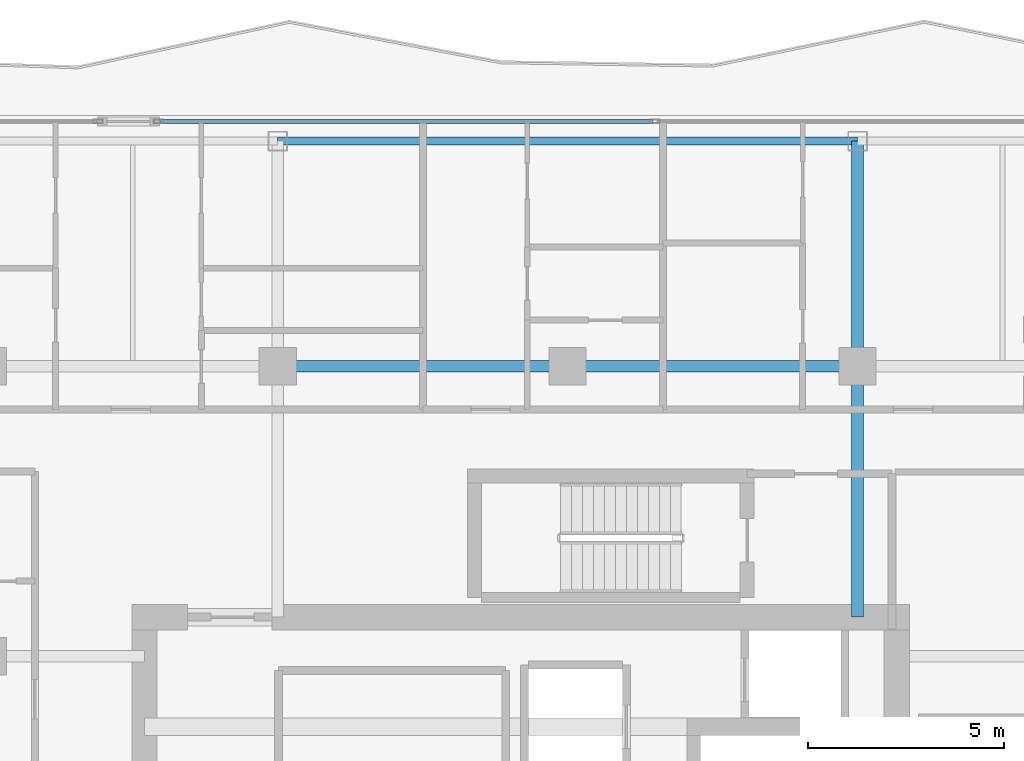
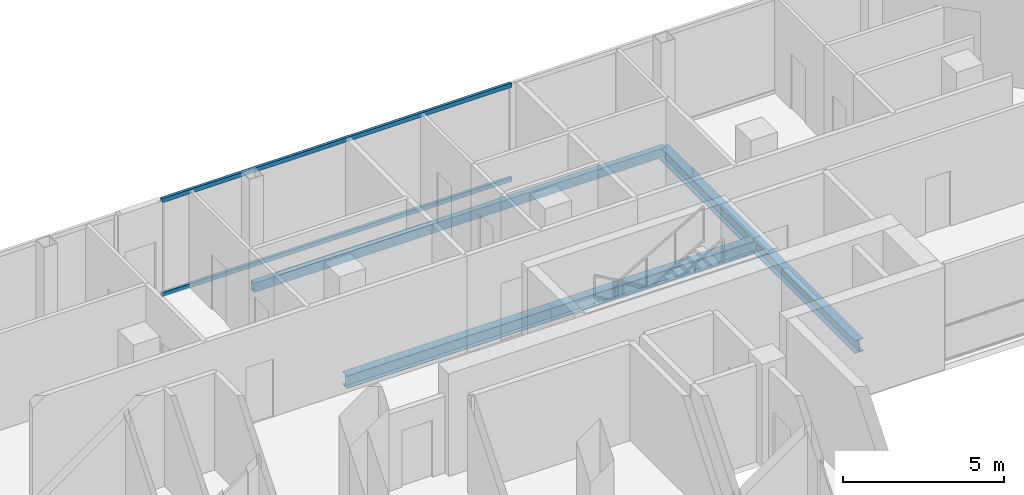
# One storey, part 12 of 23: 5 beams, 2 members, 1 element without a shape of its own.
"""IFC4 building model written with IfcOpenShell, lengths in metres."""

from ifc_helpers import new_model, si_unit, direction, frame, origin, origin_2d, place, context, subcontext, project, spatial, hollow_rectangle, i_section, extrude, material, layer, layer_set, material_profile, profile_set, type_object, element, aggregate, save


model = new_model("IFC4")

# Units and contexts
model_context = context("Model", 3, precision=1e-05, world=origin(), true_north=direction((0.0, 1.0)))
body_context = subcontext(model_context, "Body", "Model", "MODEL_VIEW")
ifc_project = project(units=[si_unit("LENGTHUNIT", "METRE"), si_unit("AREAUNIT", "SQUARE_METRE"), si_unit("VOLUMEUNIT", "CUBIC_METRE"), si_unit("PLANEANGLEUNIT", "RADIAN"), si_unit("MASSUNIT", "GRAM", prefix="KILO")], contexts=[model_context])

# Site, building, storey
site_placement = place(None, origin())
site = spatial("IfcSite", under=ifc_project, at=site_placement, CompositionType="ELEMENT")
building_placement = place(site_placement, origin())
building = spatial("IfcBuilding", under=site, at=building_placement, Name="Khorvyn Point Tower", CompositionType="ELEMENT")
storey_placement = place(building_placement, frame((0.0, 0.0, 297.60009765625)))
storey = spatial("IfcBuildingStorey", under=building, at=storey_placement, Name="L73", CompositionType="ELEMENT", Elevation=297.60009765625)

# Curtain wall, members
ifc_material_1 = material(Name="Anodised aluminium 6063-T6 and laminated Low-E glass", Category="aluminium")
ifc_layer = layer(ifc_material_1, 0.18994140625)
ifc_layer_set = layer_set([ifc_layer], Name="Stick-Built High-Wind Curtain Wall CW-SYS-04")
curtain_wall_type = type_object("IfcCurtainWallType", Name="Stick-Built High-Wind Curtain Wall CW-SYS-04", PredefinedType="NOTDEFINED", material=ifc_layer_set)
curtain_wall_placement = place(storey_placement, origin())
curtain_wall = element("IfcCurtainWall", 1, at=curtain_wall_placement, inside=storey, type_object=curtain_wall_type, Name="Curtain Wall", PredefinedType="NOTDEFINED")
ifc_material_2 = material(Name="Anodised aluminium 6063-T6", Category="aluminium")
ifc_material_profile_1 = material_profile(ifc_material_2, hollow_rectangle(XDim=0.10009765625, YDim=0.159912109375, WallThickness=0.00439453125, at=origin_2d()))
ifc_profile_set_1 = profile_set([ifc_material_profile_1], Name="Anodised aluminium 6063-T6 ALU-TRN-100x160")
member_type = type_object("IfcMemberType", Name="Anodised Aluminium 6063-T6 Transom ALU-TRN-100x160", PredefinedType="USERDEFINED", material=ifc_profile_set_1)
member_1_placement = place(storey_placement, frame((-10.389892578125, 21.050048828125, 0.0498046875), z_axis=(1.0, 0.0, 0.0), x_axis=(0.0, 1.0, 0.0)))
member_1 = element("IfcMember", 2, at=member_1_placement, type_object=member_type, Name="Transom", ObjectType="TRANSOM", PredefinedType="USERDEFINED", context=body_context, shape_type="SweptSolid", body=[
    extrude(hollow_rectangle(XDim=0.10009765625, YDim=0.159912109375, WallThickness=0.00439453125, at=origin_2d()), origin(), (0.0, 0.0, 1.0), 12.56982421875),
])
member_2_placement = place(storey_placement, frame((-10.389892578125, 21.050048828125, 3.6298828125), z_axis=(1.0, 0.0, 0.0), x_axis=(0.0, 1.0, 0.0)))
member_2 = element("IfcMember", 3, at=member_2_placement, type_object=member_type, Name="Transom", ObjectType="TRANSOM", PredefinedType="USERDEFINED", context=body_context, shape_type="SweptSolid", body=[
    extrude(hollow_rectangle(XDim=0.10009765625, YDim=0.159912109375, WallThickness=0.00439453125, at=origin_2d()), origin(), (0.0, 0.0, 1.0), 12.56982421875),
])
aggregate(curtain_wall, [member_1, member_2])

# Beams
ifc_material_3 = material(Name="Steel S355", Category="steel")
ifc_material_profile_2 = material_profile(ifc_material_3, i_section(OverallWidth=0.300048828125, OverallDepth=0.488037109375, WebThickness=0.010986328125, FlangeThickness=0.01806640625, at=origin_2d()))
ifc_profile_set_2 = profile_set([ifc_material_profile_2], Name="Steel S355 H488x300x11x18")
beam_type_1 = type_object("IfcBeamType", Name="Steel S355 Spandrel H488x300x11x18", PredefinedType="SPANDREL", material=ifc_profile_set_2)
for number, where, z_axis, x_axis, name in (
    (4, (-7.39990234375, 14.800048828125, -0.464111328125), (1.0, 0.0, 0.0), (0.0, 1.0, 0.0), "Beam"),
    (5, (0.0, 14.800048828125, -0.464111328125), (1.0, 0.0, 0.0), (0.0, 1.0, 0.0), "Beam"),
):
    element("IfcBeam", number, at=place(storey_placement, frame(where, z_axis=z_axis, x_axis=x_axis)), inside=storey, type_object=beam_type_1, Name=name, PredefinedType="SPANDREL", context=body_context, shape_type="SweptSolid", body=[
        extrude(i_section(OverallWidth=0.300048828125, OverallDepth=0.488037109375, WebThickness=0.010986328125, FlangeThickness=0.01806640625, at=origin_2d()), origin(), (0.0, 0.0, 1.0), 7.39990234375),
    ])
beam_1_placement = place(storey_placement, frame((7.39990234375, 8.39990234375, -0.464111328125), z_axis=(0.0, 1.0, 0.0), x_axis=(-1.0, 0.0, 0.0)))
element("IfcBeam", 6, at=beam_1_placement, inside=storey, type_object=beam_type_1, Name="Beam", PredefinedType="SPANDREL", context=body_context, shape_type="SweptSolid", body=[
    extrude(i_section(OverallWidth=0.300048828125, OverallDepth=0.488037109375, WebThickness=0.010986328125, FlangeThickness=0.01806640625, at=origin_2d()), origin(), (0.0, 0.0, 1.0), 6.400146484375),
])
beam_2_placement = place(storey_placement, frame((7.39990234375, 14.800048828125, -0.464111328125), z_axis=(0.0, 1.0, 0.0), x_axis=(-1.0, 0.0, 0.0)))
element("IfcBeam", 7, at=beam_2_placement, inside=storey, type_object=beam_type_1, Name="Beam", PredefinedType="SPANDREL", context=body_context, shape_type="SweptSolid", body=[
    extrude(i_section(OverallWidth=0.300048828125, OverallDepth=0.488037109375, WebThickness=0.010986328125, FlangeThickness=0.01806640625, at=origin_2d()), origin(), (0.0, 0.0, 1.0), 5.75),
])
ifc_material_profile_3 = material_profile(ifc_material_3, hollow_rectangle(XDim=0.199951171875, YDim=0.35009765625, WallThickness=0.013916015625, at=origin_2d()))
ifc_profile_set_3 = profile_set([ifc_material_profile_3], Name="Steel S355 RHS350x200x14")
beam_type_2 = type_object("IfcBeamType", Name="Steel S355 Spandrel RHS350x200x14", PredefinedType="SPANDREL", material=ifc_profile_set_3)
beam_3_placement = place(storey_placement, frame((-7.39990234375, 20.550048828125, -0.39501953125), z_axis=(1.0, 0.0, 0.0), x_axis=(0.0, 1.0, 0.0)))
element("IfcBeam", 8, at=beam_3_placement, inside=storey, type_object=beam_type_2, Name="Beam", PredefinedType="SPANDREL", context=body_context, shape_type="SweptSolid", body=[
    extrude(hollow_rectangle(XDim=0.199951171875, YDim=0.35009765625, WallThickness=0.013916015625, at=origin_2d()), origin(), (0.0, 0.0, 1.0), 14.7998046875),
])

save(model, "model.ifc")
